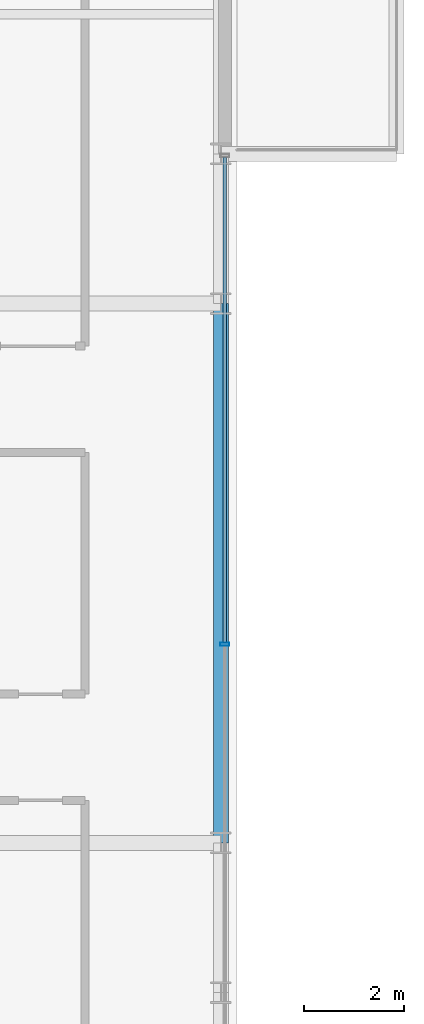
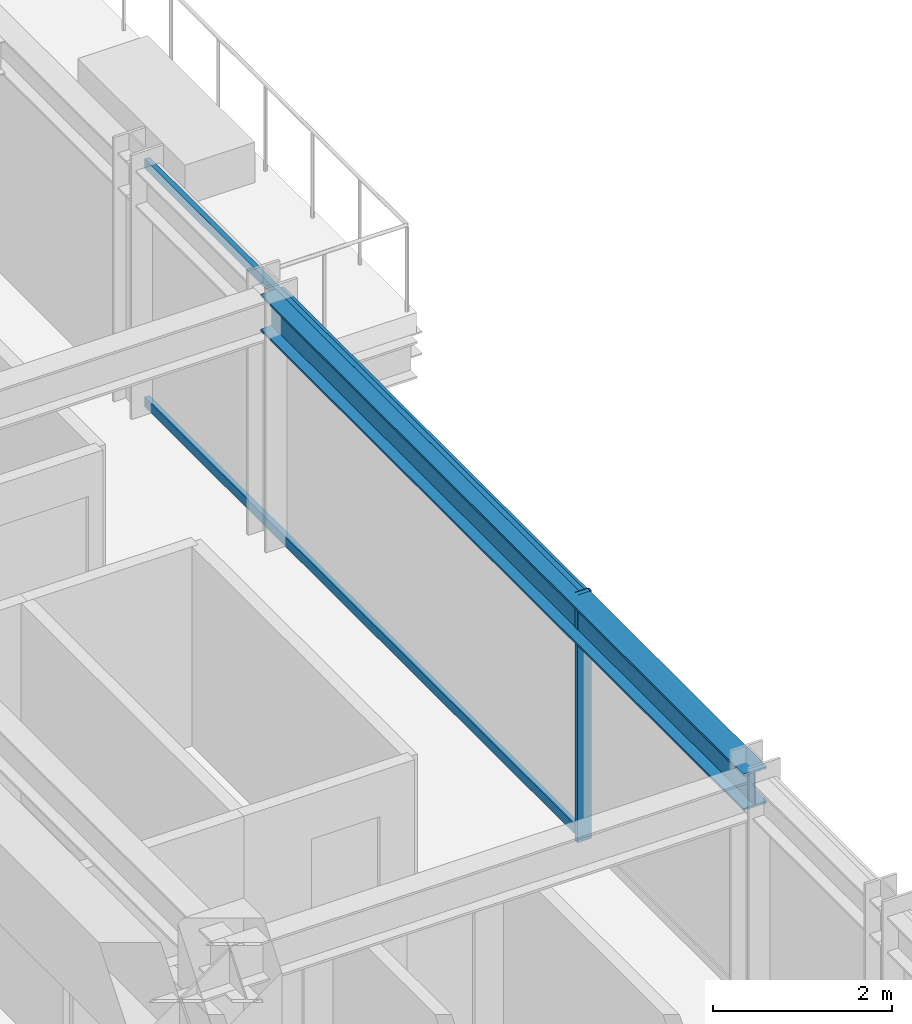
# One storey, part 15 of 32: 3 members, 1 beam, 1 element without a shape of its own.
"""IFC4 building model written with IfcOpenShell, lengths in metres."""

from ifc_helpers import new_model, si_unit, direction, frame, origin, origin_2d, place, context, subcontext, project, spatial, hollow_rectangle, i_section, extrude, source, transform, mapped, material, material_profile, profile_set, type_object, element, aggregate, save


model = new_model("IFC4")

# Units and contexts
model_context = context("Model", 3, precision=1e-05, world=origin(), true_north=direction((0.0, 1.0)))
body_context = subcontext(model_context, "Body", "Model", "MODEL_VIEW")
ifc_project = project(units=[si_unit("LENGTHUNIT", "METRE"), si_unit("AREAUNIT", "SQUARE_METRE"), si_unit("VOLUMEUNIT", "CUBIC_METRE"), si_unit("PLANEANGLEUNIT", "RADIAN"), si_unit("MASSUNIT", "GRAM", prefix="KILO")], contexts=[model_context])

# Site, building, storey
site_placement = place(None, origin())
site = spatial("IfcSite", under=ifc_project, at=site_placement, CompositionType="ELEMENT")
building_placement = place(site_placement, origin())
building = spatial("IfcBuilding", under=site, at=building_placement, Name="Nahalor Promenade Grand Hotel", CompositionType="ELEMENT")
storey_placement = place(building_placement, frame((0.0, 0.0, 102.89990234375)))
storey = spatial("IfcBuildingStorey", under=building, at=storey_placement, Name="L25", CompositionType="ELEMENT", Elevation=102.89990234375)

# Beam
ifc_material_1 = material(Name="Steel S355JR", Category="steel")
ifc_material_profile_1 = material_profile(ifc_material_1, i_section(OverallWidth=0.3, OverallDepth=0.5, WebThickness=0.0145, FlangeThickness=0.028, at=origin_2d()), Name="HEB 500")
ifc_profile_set_1 = profile_set([ifc_material_profile_1], Name="Steel S355JR")
beam_type = type_object("IfcBeamType", Name="Beam-Spandrel-HEB500", PredefinedType="SPANDREL", material=ifc_profile_set_1)
shared_shape_1 = source(origin(), body_context, "Body", "SweptSolid", [
    extrude(i_section(OverallWidth=0.3, OverallDepth=0.5, WebThickness=0.0145, FlangeThickness=0.028, at=origin_2d()), origin(), (0.0, 0.0, 1.0), 10.7998046875),
])
beam_placement = place(storey_placement, frame((23.780029296875, -5.39990234375, 3.130126953125), z_axis=(0.0, 1.0, 0.0), x_axis=(-1.0, 0.0, 0.0)))
element("IfcBeam", 1, at=beam_placement, inside=storey, type_object=beam_type, Name="BM-L25-SP-E-2", PredefinedType="SPANDREL", context=body_context, shape_type="MappedRepresentation", body=[
    mapped(shared_shape_1, transform((0.0, 0.0, 0.0), scale=1.0)),
])

# Curtain wall, members
ifc_material_2 = material(Name="Anodised Bronze Aluminium EN AW-6063 T6", Category="aluminium")
curtain_wall_type = type_object("IfcCurtainWallType", Name="CW2 Typical Hotel Flush Bronze Unitised Curtain Wall", PredefinedType="USERDEFINED", material=ifc_material_2)
curtain_wall_placement = place(storey_placement, origin())
curtain_wall = element("IfcCurtainWall", 2, at=curtain_wall_placement, inside=storey, type_object=curtain_wall_type, Name="L25 Curtain Wall CW-L25-E-1", ObjectType="UNITISED_CURTAIN_WALL", PredefinedType="USERDEFINED")
ifc_material_profile_2 = material_profile(ifc_material_2, hollow_rectangle(XDim=0.065, YDim=0.13, WallThickness=0.004, at=origin_2d()), Name="CWT 65x130x4")
ifc_profile_set_2 = profile_set([ifc_material_profile_2], Name="Anodised Bronze Aluminium EN AW-6063 T6")
member_type_1 = type_object("IfcMemberType", Name="CWT2 Typical Bronze Transom 65x130", PredefinedType="USERDEFINED", material=ifc_profile_set_2)
shared_shape_2 = source(origin(), body_context, "Body", "SweptSolid", [
    extrude(hollow_rectangle(XDim=0.065, YDim=0.13, WallThickness=0.004, at=origin_2d()), origin(), (0.0, 0.0, 1.0), 9.722412109375),
])
member_1_placement = place(storey_placement, frame((23.860107421875, -1.387451171875, 0.065185546875), z_axis=(0.0, 1.0, 0.0), x_axis=(-1.0, 0.0, 0.0)))
member_1 = element("IfcMember", 3, at=member_1_placement, type_object=member_type_1, Name="CW-L25-E-1 Transom 2-0", ObjectType="TRANSOM", PredefinedType="USERDEFINED", context=body_context, shape_type="MappedRepresentation", body=[
    mapped(shared_shape_2, transform((0.0, 0.0, 0.0), scale=1.0)),
])
member_2_placement = place(storey_placement, frame((23.860107421875, -1.387451171875, 3.315185546875), z_axis=(0.0, 1.0, 0.0), x_axis=(-1.0, 0.0, 0.0)))
member_2 = element("IfcMember", 4, at=member_2_placement, type_object=member_type_1, Name="CW-L25-E-1 Transom 2-1", ObjectType="TRANSOM", PredefinedType="USERDEFINED", context=body_context, shape_type="MappedRepresentation", body=[
    mapped(shared_shape_2, transform((0.0, 0.0, 0.0), scale=1.0)),
])
ifc_material_profile_3 = material_profile(ifc_material_2, hollow_rectangle(XDim=0.065, YDim=0.18, WallThickness=0.004, at=origin_2d()), Name="CWM 65x180x4")
ifc_profile_set_3 = profile_set([ifc_material_profile_3], Name="Anodised Bronze Aluminium EN AW-6063 T6")
member_type_2 = type_object("IfcMemberType", Name="CWM2 Typical Bronze Mullion 65x180", PredefinedType="MULLION", material=ifc_profile_set_3)
shared_shape_3 = source(origin(), body_context, "Body", "SweptSolid", [
    extrude(hollow_rectangle(XDim=0.065, YDim=0.18, WallThickness=0.004, at=origin_2d()), origin(), (0.0, 0.0, 1.0), 3.380126953125),
])
member_3_placement = place(storey_placement, frame((23.860107421875, -1.419921875, 0.0), z_axis=(0.0, 0.0, 1.0), x_axis=(0.0, 1.0, 0.0)))
member_3 = element("IfcMember", 5, at=member_3_placement, type_object=member_type_2, Name="CW-L25-E-1 Mullion 2", PredefinedType="MULLION", context=body_context, shape_type="MappedRepresentation", body=[
    mapped(shared_shape_3, transform((0.0, 0.0, 0.0), scale=1.0)),
])
aggregate(curtain_wall, [member_3, member_1, member_2])

save(model, "model.ifc")
